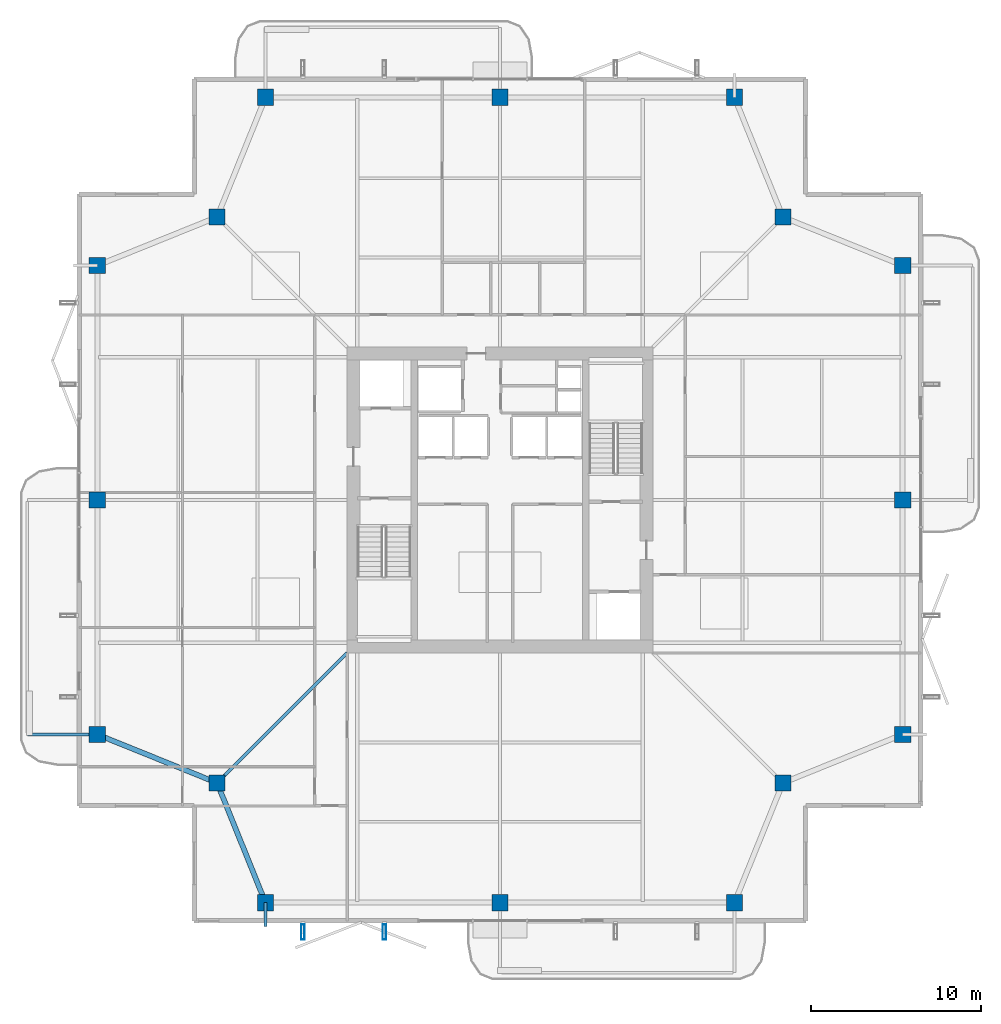
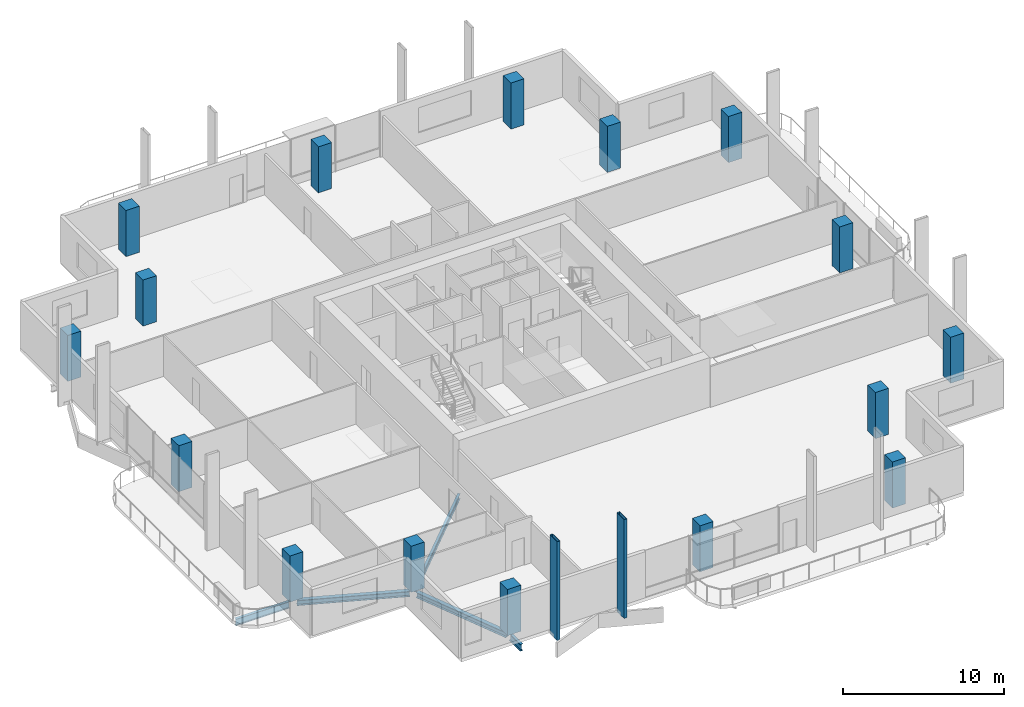
# One storey, part 1 of 25: 16 columns, 5 beams, 2 members.
"""IFC4 building model written with IfcOpenShell, lengths in metres."""

import ifcopenshell
import ifcopenshell.guid

model = None  # the IFC model being written
_history = None  # IfcOwnerHistory: only IFC2X3 demands one
_inside = {}  # id of a spatial element -> (the spatial element, [elements in it])
_under = {}  # id of a project, library or spatial element -> (it, [spatial elements below it])
_declared = {}  # id of a project -> (the project, [libraries it declares])
_typed = {}  # id of a type object -> (the type object, [elements of that type])
_made_of = {}  # id of a material, layer set ... -> (it, [elements and type objects made of it])


def new_model(schema):
    """Start an empty IFC model of exactly this schema.

    Asked for "IFC4X3", IfcOpenShell would pick the latest addendum, in which some entities
    have other attributes; the version numbers below select the first issue.
    IFC2X3 requires an IfcOwnerHistory on every rooted entity: one is made here for all.
    """
    global model, _history
    if schema == "IFC4X3":
        model = ifcopenshell.file(schema_version=(4, 3, 0, 0))
    else:
        model = ifcopenshell.file(schema=schema)
    _inside.clear()
    _under.clear()
    _declared.clear()
    _typed.clear()
    _made_of.clear()
    _history = None
    if model.schema == "IFC2X3":
        org = make("IfcOrganization", Name="unknown")
        user = make(
            "IfcPersonAndOrganization",
            ThePerson=make("IfcPerson", FamilyName="unknown"),
            TheOrganization=org,
        )
        app = make(
            "IfcApplication",
            ApplicationDeveloper=org,
            Version="unknown",
            ApplicationFullName="unknown",
            ApplicationIdentifier="unknown",
        )
        _history = make(
            "IfcOwnerHistory",
            OwningUser=user,
            OwningApplication=app,
            ChangeAction="ADDED",
            CreationDate=0,
        )
    return model


def make(cls, **values):
    """One entity of the class cls with the attributes given. An attribute that is None is left unset."""
    return model.create_entity(
        cls, **{name: value for name, value in values.items() if value is not None}
    )


def rooted(cls, **values):
    """An entity with a GlobalId (a new one), such as an element, a storey or a relation."""
    return make(cls, GlobalId=ifcopenshell.guid.new(), OwnerHistory=_history, **values)


def si_unit(unit_type, name, prefix=None):
    """IfcSIUnit, for example si_unit("LENGTHUNIT", "METRE", prefix="MILLI")."""
    return make("IfcSIUnit", UnitType=unit_type, Prefix=prefix, Name=name)


def assignment(units):
    """IfcUnitAssignment: the units of a project."""
    return None if units is None else make("IfcUnitAssignment", Units=units)


def point(xyz):
    """IfcCartesianPoint."""
    return None if xyz is None else make("IfcCartesianPoint", Coordinates=xyz)


def direction(xyz):
    """IfcDirection."""
    return None if xyz is None else make("IfcDirection", DirectionRatios=xyz)


def frame(location, z_axis=None, x_axis=None):
    """IfcAxis2Placement3D, a coordinate frame: its origin and axes. An axis left out is left unset."""
    return make(
        "IfcAxis2Placement3D",
        Location=point(location),
        Axis=direction(z_axis),
        RefDirection=direction(x_axis),
    )


def frame_2d(location, x_axis=None):
    """IfcAxis2Placement2D, a coordinate frame in the plane: its origin and x axis."""
    return make(
        "IfcAxis2Placement2D", Location=point(location), RefDirection=direction(x_axis)
    )


def origin():
    """The frame at (0, 0, 0) with its axes left unset."""
    return frame((0.0, 0.0, 0.0))


def origin_2d():
    """The frame at (0, 0) in the plane with its x axis left unset."""
    return frame_2d((0.0, 0.0))


def place(relative_to, where):
    """IfcLocalPlacement: puts the frame where relative to a parent placement (None: the world)."""
    return make(
        "IfcLocalPlacement", PlacementRelTo=relative_to, RelativePlacement=where
    )


def context(
    kind, dimensions, precision=None, world=None, true_north=None, identifier=None
):
    """IfcGeometricRepresentationContext, for example the 3D "Model" context."""
    return make(
        "IfcGeometricRepresentationContext",
        ContextIdentifier=identifier,
        ContextType=kind,
        CoordinateSpaceDimension=dimensions,
        Precision=precision,
        WorldCoordinateSystem=world,
        TrueNorth=true_north,
    )


def subcontext(parent, identifier, kind, view, scale=None):
    """IfcGeometricRepresentationSubContext, for example "Body" below "Model"."""
    return make(
        "IfcGeometricRepresentationSubContext",
        ContextIdentifier=identifier,
        ContextType=kind,
        ParentContext=parent,
        TargetScale=scale,
        TargetView=view,
    )


def project(units=None, contexts=None):
    """IfcProject with its units and contexts."""
    return rooted(
        "IfcProject",
        Name="project",
        RepresentationContexts=contexts,
        UnitsInContext=assignment(units),
    )


def spatial(cls, under=None, at=None, **own):
    """A site, building, storey or space (cls), placed at a placement, below another one or the project."""
    s = rooted(cls, ObjectPlacement=at, **own)
    if under is not None:
        _under.setdefault(under.id(), (under, []))[1].append(s)
    return s


def profile(cls, at=None, kind="AREA", **sizes):
    """A parametric profile (cls). Its sizes go by their IFC names, for example OverallWidth=200.0."""
    return make(cls, ProfileType=kind, Position=at, **sizes)


def rectangle(**sizes):
    """IfcRectangleProfileDef."""
    return profile("IfcRectangleProfileDef", **sizes)


def hollow_rectangle(**sizes):
    """IfcRectangleHollowProfileDef."""
    return profile("IfcRectangleHollowProfileDef", **sizes)


def i_section(**sizes):
    """IfcIShapeProfileDef."""
    return profile("IfcIShapeProfileDef", **sizes)


def extrude(swept, where, along, depth):
    """IfcExtrudedAreaSolid: the profile swept, set in the frame where, extruded along a direction by depth."""
    return make(
        "IfcExtrudedAreaSolid",
        SweptArea=swept,
        Position=where,
        ExtrudedDirection=direction(along),
        Depth=depth,
    )


def shape(context_of_items, identifier, shape_type, items):
    """IfcShapeRepresentation: the items that make up one representation, for example the "Body"."""
    return make(
        "IfcShapeRepresentation",
        ContextOfItems=context_of_items,
        RepresentationIdentifier=identifier,
        RepresentationType=shape_type,
        Items=items,
    )


def material(Name=None, Category=None):
    """IfcMaterial."""
    return make("IfcMaterial", Name=Name, Category=Category)


def material_profile(
    of_material, cross_section, Name=None, Category=None, Priority=None
):
    """IfcMaterialProfile: a cross section and its material."""
    return make(
        "IfcMaterialProfile",
        Name=Name,
        Material=of_material,
        Profile=cross_section,
        Priority=Priority,
        Category=Category,
    )


def profile_set(profiles, Name=None, composite=None):
    """IfcMaterialProfileSet."""
    return make(
        "IfcMaterialProfileSet",
        Name=Name,
        MaterialProfiles=profiles,
        CompositeProfile=composite,
    )


def made_of(thing, what):
    """Note that an element or type object is made of a material, layer set ...; save() writes the relation."""
    if what is not None:
        _made_of.setdefault(what.id(), (what, []))[1].append(thing)
    return thing


def type_object(cls, material=None, **own):
    """A type object (cls), such as IfcWallType, which elements share."""
    return made_of(rooted(cls, **own), material)


def element(
    cls,
    number,
    at=None,
    inside=None,
    cuts=None,
    type_object=None,
    material=None,
    context=None,
    identifier="Body",
    shape_type=None,
    held_by="IfcProductDefinitionShape",
    body=None,
    shapes=None,
    **own,
):
    """One element of the class cls, such as IfcWall. Its Tag is "e" and its number.

    at: its placement. inside: the storey or other place that contains it. cuts: it is an
    opening in that element (IfcRelVoidsElement). A single representation is given by context,
    identifier, shape_type and body (its items); several are given by shapes. held_by: the class
    of the entity that holds the representations. save() writes the other relations.
    """
    e = rooted(cls, Tag="e%d" % number, ObjectPlacement=at, **own)
    if body is not None:
        shapes = [shape(context, identifier, shape_type, body)]
    if shapes is not None:
        e.Representation = make(held_by, Representations=shapes)
    if inside is not None:
        _inside.setdefault(inside.id(), (inside, []))[1].append(e)
    if cuts is not None:
        rooted(
            "IfcRelVoidsElement", RelatingBuildingElement=cuts, RelatedOpeningElement=e
        )
    if type_object is not None:
        _typed.setdefault(type_object.id(), (type_object, []))[1].append(e)
    return made_of(e, material)


def aggregate(whole, parts):
    """IfcRelAggregates: a whole, such as a stair, and the parts it consists of."""
    return rooted("IfcRelAggregates", RelatingObject=whole, RelatedObjects=parts)


def save(model, path):
    """Write the relations noted so far, then the file.

    IfcRelAggregates (storeys below a building ...), IfcRelContainedInSpatialStructure (elements
    in a storey), IfcRelDefinesByType, IfcRelAssociatesMaterial and IfcRelDeclares: one each for
    every whole, place, type object, material and project.
    """
    for whole, parts in _under.values():
        aggregate(whole, parts)
    for where, things in _inside.values():
        rooted(
            "IfcRelContainedInSpatialStructure",
            RelatedElements=things,
            RelatingStructure=where,
        )
    for kind, things in _typed.values():
        rooted("IfcRelDefinesByType", RelatedObjects=things, RelatingType=kind)
    for what, things in _made_of.values():
        rooted("IfcRelAssociatesMaterial", RelatedObjects=things, RelatingMaterial=what)
    for by, libraries in _declared.values():
        rooted("IfcRelDeclares", RelatingContext=by, RelatedDefinitions=libraries)
    model.write(path)


model = new_model("IFC4")

# Units and contexts
model_context = context("Model", 3, precision=1e-05, world=origin(), true_north=direction((0.0, 1.0)))
body_context = subcontext(model_context, "Body", "Model", "MODEL_VIEW")
ifc_project = project(units=[si_unit("LENGTHUNIT", "METRE"), si_unit("AREAUNIT", "SQUARE_METRE"), si_unit("VOLUMEUNIT", "CUBIC_METRE"), si_unit("PLANEANGLEUNIT", "RADIAN"), si_unit("MASSUNIT", "GRAM", prefix="KILO")], contexts=[model_context])

# Site, building, storey
site_placement = place(None, origin())
site = spatial("IfcSite", under=ifc_project, at=site_placement, CompositionType="ELEMENT")
building_placement = place(site_placement, origin())
building = spatial("IfcBuilding", under=site, at=building_placement, Name="Belovzor Exchange Tower", CompositionType="ELEMENT")
storey_placement = place(building_placement, frame((0.0, 0.0, 257.85009765625)))
storey = spatial("IfcBuildingStorey", under=building, at=storey_placement, Name="L64", CompositionType="ELEMENT", Elevation=257.85009765625)

# Columns
ifc_material_1 = material(Name="Concrete C50/60", Category="concrete")
ifc_material_profile_1 = material_profile(ifc_material_1, rectangle(XDim=0.949951171875, YDim=0.949951171875, at=origin_2d()))
ifc_profile_set_1 = profile_set([ifc_material_profile_1], Name="Concrete C50/60")
column_type = type_object("IfcColumnType", Name="Reinforced Concrete Tower Column 950x950", PredefinedType="COLUMN", material=ifc_profile_set_1)
for number, where, z_axis, x_axis, name in (
    (1, (15.0, 5.10009765625, 0.0029296875), (0.0, 0.0, 1.0), (1.0, 0.0, 0.0), "COL-T095 Reinforced Concrete Tower Column 950x950"),
    (2, (28.800048828125, 5.10009765625, 0.0029296875), (0.0, 0.0, 1.0), (1.0, 0.0, 0.0), "COL-T095 Reinforced Concrete Tower Column 950x950"),
    (3, (42.60009765625, 5.10009765625, 0.0029296875), (0.0, 0.0, 1.0), (1.0, 0.0, 0.0), "COL-T095 Reinforced Concrete Tower Column 950x950"),
    (4, (52.5, 15.0, 0.0029296875), (0.0, 0.0, 1.0), (1.0, 0.0, 0.0), "COL-T095 Reinforced Concrete Tower Column 950x950"),
    (5, (52.5, 28.800048828125, 0.0029296875), (0.0, 0.0, 1.0), (1.0, 0.0, 0.0), "COL-T095 Reinforced Concrete Tower Column 950x950"),
    (6, (52.5, 42.60009765625, 0.0029296875), (0.0, 0.0, 1.0), (1.0, 0.0, 0.0), "COL-T095 Reinforced Concrete Tower Column 950x950"),
    (7, (42.60009765625, 52.5, 0.0029296875), (0.0, 0.0, 1.0), (1.0, 0.0, 0.0), "COL-T095 Reinforced Concrete Tower Column 950x950"),
    (8, (28.800048828125, 52.5, 0.0029296875), (0.0, 0.0, 1.0), (1.0, 0.0, 0.0), "COL-T095 Reinforced Concrete Tower Column 950x950"),
    (9, (15.0, 52.5, 0.0029296875), (0.0, 0.0, 1.0), (1.0, 0.0, 0.0), "COL-T095 Reinforced Concrete Tower Column 950x950"),
    (10, (5.10009765625, 42.60009765625, 0.0029296875), (0.0, 0.0, 1.0), (1.0, 0.0, 0.0), "COL-T095 Reinforced Concrete Tower Column 950x950"),
    (11, (5.10009765625, 28.800048828125, 0.0029296875), (0.0, 0.0, 1.0), (1.0, 0.0, 0.0), "COL-T095 Reinforced Concrete Tower Column 950x950"),
    (12, (5.10009765625, 15.0, 0.0029296875), (0.0, 0.0, 1.0), (1.0, 0.0, 0.0), "COL-T095 Reinforced Concrete Tower Column 950x950"),
    (13, (12.14990234375, 12.14990234375, 0.0029296875), (0.0, 0.0, 1.0), (1.0, 0.0, 0.0), "COL-T095 Reinforced Concrete Tower Column 950x950"),
    (14, (45.449951171875, 12.14990234375, 0.0029296875), (0.0, 0.0, 1.0), (1.0, 0.0, 0.0), "COL-T095 Reinforced Concrete Tower Column 950x950"),
    (15, (45.449951171875, 45.449951171875, 0.0029296875), (0.0, 0.0, 1.0), (1.0, 0.0, 0.0), "COL-T095 Reinforced Concrete Tower Column 950x950"),
    (16, (12.14990234375, 45.449951171875, 0.0029296875), (0.0, 0.0, 1.0), (1.0, 0.0, 0.0), "COL-T095 Reinforced Concrete Tower Column 950x950"),
):
    element("IfcColumn", number, at=place(storey_placement, frame(where, z_axis=z_axis, x_axis=x_axis)), inside=storey, type_object=column_type, Name=name, PredefinedType="COLUMN", context=body_context, shape_type="SweptSolid", body=[
        extrude(rectangle(XDim=0.949951171875, YDim=0.949951171875, at=origin_2d()), origin(), (0.0, 0.0, 1.0), 3.493896484375),
    ])

# Beams
ifc_material_2 = material(Name="Steel S355", Category="steel")
ifc_material_profile_2 = material_profile(ifc_material_2, i_section(OverallWidth=0.199951171875, OverallDepth=0.5, WebThickness=0.01025390625, FlangeThickness=0.01611328125, at=origin_2d()))
ifc_profile_set_2 = profile_set([ifc_material_profile_2], Name="Steel S355")
beam_type_1 = type_object("IfcBeamType", Name="Planted Balcony Cantilever Beam IPE 500", PredefinedType="BEAM", material=ifc_profile_set_2)
beam_1_placement = place(storey_placement, frame((4.839111328125, 15.0, -0.5), z_axis=(-1.0, 0.0, 0.0), x_axis=(0.0, -1.0, 0.0)))
element("IfcBeam", 17, at=beam_1_placement, inside=storey, type_object=beam_type_1, Name="BC-500 Planted Balcony Cantilever Beam IPE 500", PredefinedType="BEAM", context=body_context, shape_type="SweptSolid", body=[
    extrude(i_section(OverallWidth=0.199951171875, OverallDepth=0.5, WebThickness=0.01025390625, FlangeThickness=0.01611328125, at=origin_2d()), origin(), (0.0, 0.0, 1.0), 3.85009765625),
])
beam_2_placement = place(storey_placement, frame((15.0, 5.10009765625, -0.5), z_axis=(0.0, -1.0, 0.0), x_axis=(1.0, 0.0, 0.0)))
element("IfcBeam", 18, at=beam_2_placement, inside=storey, type_object=beam_type_1, Name="BC-500 Planted Balcony Cantilever Beam IPE 500", PredefinedType="BEAM", context=body_context, shape_type="SweptSolid", body=[
    extrude(i_section(OverallWidth=0.199951171875, OverallDepth=0.5, WebThickness=0.01025390625, FlangeThickness=0.01611328125, at=origin_2d()), origin(), (0.0, 0.0, 1.0), 1.400146484375),
])

# Members
ifc_material_3 = material(Name="Extruded Architectural Terracotta on Steel S355 Carrier", Category="masonry")
ifc_material_profile_3 = material_profile(ifc_material_3, hollow_rectangle(XDim=0.199951171875, YDim=0.89990234375, WallThickness=0.011962890625, at=origin_2d()))
ifc_profile_set_3 = profile_set([ifc_material_profile_3], Name="Extruded Architectural Terracotta on Steel S355 Carrier")
member_type = type_object("IfcMemberType", Name="Sweeping Terracotta Baguette Fin Assembly 950", PredefinedType="USERDEFINED", material=ifc_profile_set_3)
for number, where, z_axis, x_axis, name in (
    (19, (17.199951171875, 3.375, -0.25), (0.0, 0.0, 1.0), (1.0, 0.0, 0.0), "FIN-TC095 Terracotta Facade Fin L64 S1"),
    (20, (22.0, 3.375, -0.25), (0.0, 0.0, 1.0), (1.0, 0.0, 0.0), "FIN-TC095 Terracotta Facade Fin L64 S2"),
):
    element("IfcMember", number, at=place(storey_placement, frame(where, z_axis=z_axis, x_axis=x_axis)), inside=storey, type_object=member_type, Name=name, ObjectType="FIN", PredefinedType="USERDEFINED", context=body_context, shape_type="SweptSolid", body=[
        extrude(hollow_rectangle(XDim=0.199951171875, YDim=0.89990234375, WallThickness=0.011962890625, at=origin_2d()), origin(), (0.0, 0.0, 1.0), 7.5),
    ])

# Beams
ifc_material_4 = material(Name="Steel S355", Category="steel")
ifc_material_profile_4 = material_profile(ifc_material_4, i_section(OverallWidth=0.300048828125, OverallDepth=0.39990234375, WebThickness=0.013427734375, FlangeThickness=0.02392578125, at=origin_2d()))
ifc_profile_set_4 = profile_set([ifc_material_profile_4], Name="Steel S355")
beam_type_2 = type_object("IfcBeamType", Name="Zone 5 Primary Girder HEB 400", PredefinedType="BEAM", material=ifc_profile_set_4)
for number, where, z_axis, x_axis, name in (
    (21, (12.248046875, 11.907958984375, -0.4501953125), (0.374758283536, -0.927122553345, 0.0), (0.927122553345, 0.374758283536, 0.0), "FG-Z5 Zone 5 Primary Girder HEB 400"),
    (22, (5.342041015625, 14.902099609375, -0.4501953125), (0.927122553345, -0.374758283536, 0.0), (0.374758283536, 0.927122553345, 0.0), "FG-Z5 Zone 5 Primary Girder HEB 400"),
):
    element("IfcBeam", number, at=place(storey_placement, frame(where, z_axis=z_axis, x_axis=x_axis)), inside=storey, type_object=beam_type_2, Name=name, PredefinedType="BEAM", context=body_context, shape_type="SweptSolid", body=[
        extrude(i_section(OverallWidth=0.300048828125, OverallDepth=0.39990234375, WebThickness=0.013427734375, FlangeThickness=0.02392578125, at=origin_2d()), origin(), (0.0, 0.0, 1.0), 7.08203125),
    ])
ifc_material_5 = material(Name="Steel S355", Category="steel")
ifc_material_profile_5 = material_profile(ifc_material_5, i_section(OverallWidth=0.179931640625, OverallDepth=0.39990234375, WebThickness=0.008544921875, FlangeThickness=0.013427734375, at=origin_2d()))
ifc_profile_set_5 = profile_set([ifc_material_profile_5], Name="Steel S355")
beam_type_3 = type_object("IfcBeamType", Name="Zone 5-6 Radial Composite Floor Beam IPE 400", PredefinedType="BEAM", material=ifc_profile_set_5)
beam_3_placement = place(storey_placement, frame((19.800048828125, 19.800048828125, -0.4501953125), z_axis=(-0.707106781187, -0.707106781187, 0.0), x_axis=(0.707106781187, -0.707106781187, 0.0)))
element("IfcBeam", 23, at=beam_3_placement, inside=storey, type_object=beam_type_3, Name="FB-400 Zone 5-6 Radial Composite Floor Beam IPE 400", PredefinedType="BEAM", context=body_context, shape_type="SweptSolid", body=[
    extrude(i_section(OverallWidth=0.179931640625, OverallDepth=0.39990234375, WebThickness=0.008544921875, FlangeThickness=0.013427734375, at=origin_2d()), origin(), (0.0, 0.0, 1.0), 10.482421875),
])

save(model, "model.ifc")
